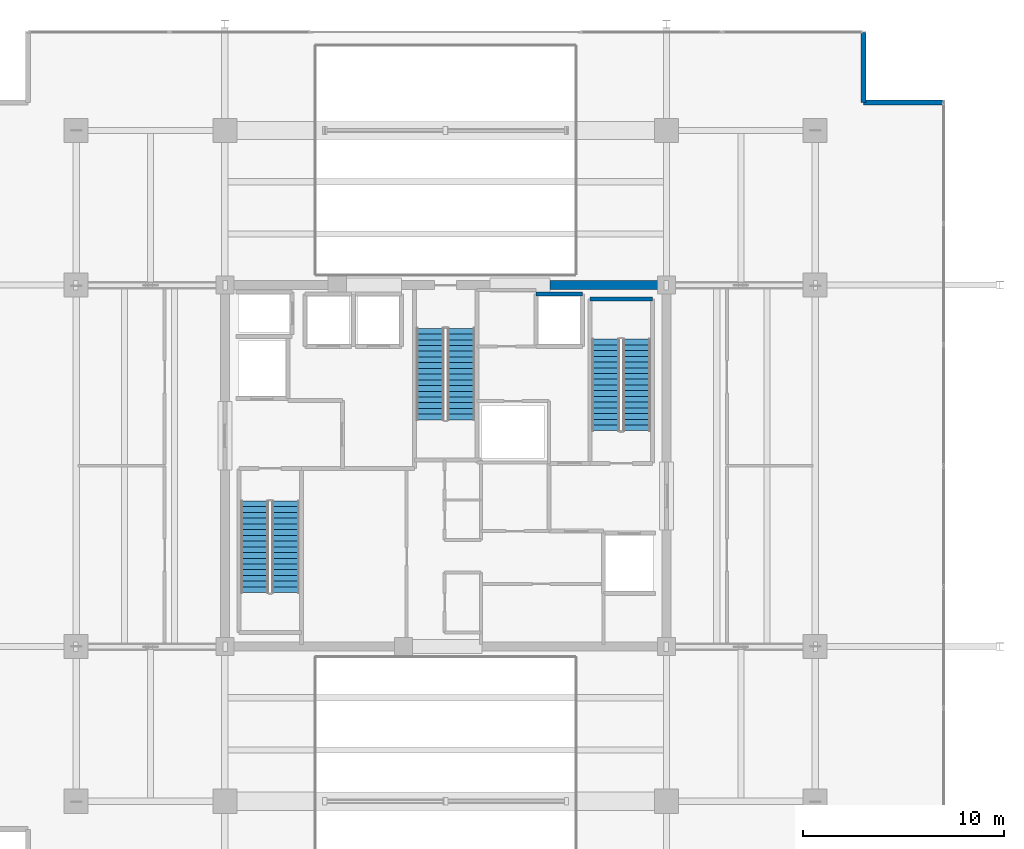
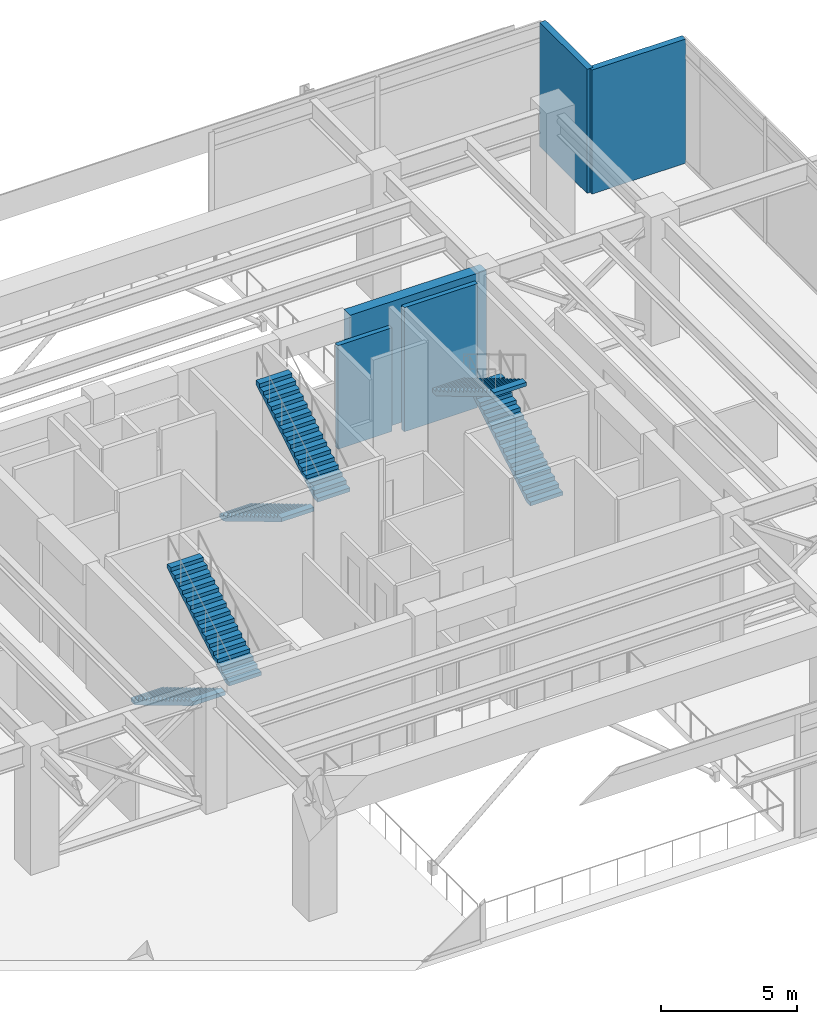
# One storey, part 24 of 26: 6 stair flights, 5 walls, 3 elements without a shape of their own.
"""IFC4 building model written with IfcOpenShell, lengths in metres."""

from ifc_helpers import new_model, si_unit, direction, frame, frame_2d, origin, place, context, subcontext, project, spatial, polyline, rectangle, outline, extrude, material, layer, layer_set, type_object, element, aggregate, save


model = new_model("IFC4")

# Units and contexts
model_context = context("Model", 3, precision=1e-05, world=origin(), true_north=direction((0.0, 1.0)))
body_context = subcontext(model_context, "Body", "Model", "MODEL_VIEW")
ifc_project = project(units=[si_unit("LENGTHUNIT", "METRE"), si_unit("AREAUNIT", "SQUARE_METRE"), si_unit("VOLUMEUNIT", "CUBIC_METRE"), si_unit("PLANEANGLEUNIT", "RADIAN"), si_unit("MASSUNIT", "GRAM", prefix="KILO")], contexts=[model_context])

# Site, building, storey
site_placement = place(None, origin())
site = spatial("IfcSite", under=ifc_project, at=site_placement, CompositionType="ELEMENT")
building_placement = place(site_placement, origin())
building = spatial("IfcBuilding", under=site, at=building_placement, Name="Kovane Verandah Tower", CompositionType="ELEMENT")
storey_placement = place(building_placement, frame((0.0, 0.0, 301.0)))
storey = spatial("IfcBuildingStorey", under=building, at=storey_placement, Name="L70", CompositionType="ELEMENT", Elevation=301.0)

# Walls
ifc_material_1 = material(Name="Concrete C60/75", Category="concrete")
ifc_layer_1 = layer(ifc_material_1, 0.449951171875)
ifc_layer_set_1 = layer_set([ifc_layer_1], Name="Concrete C60/75")
wall_type_1 = type_object("IfcWallType", Name="WL-CORE-450", PredefinedType="SHEAR", material=ifc_layer_set_1)
wall_1_placement = place(storey_placement, frame((45.199951171875, 36.5, 0.0), z_axis=(0.0, 0.0, 1.0), x_axis=(1.0, 0.0, 0.0)))
element("IfcWall", 1, at=wall_1_placement, inside=storey, type_object=wall_type_1, Name="L70 Core Shear Wall CN-3", PredefinedType="SHEAR", context=body_context, shape_type="SweptSolid", body=[
    extrude(rectangle(XDim=5.800048828125, YDim=0.449951171875, at=frame_2d((2.89990234375, 0.0))), origin(), (0.0, 0.0, 1.0), 5.5849609375),
])
ifc_material_2 = material(Name="Concrete C45/55 Lift Shaft Wall", Category="concrete")
ifc_layer_2 = layer(ifc_material_2, 0.199951171875)
ifc_layer_set_2 = layer_set([ifc_layer_2], Name="Concrete C45/55 Lift Shaft Wall")
wall_type_2 = type_object("IfcWallType", Name="WL-LIFT-200", PredefinedType="SOLIDWALL", material=ifc_layer_set_2)
wall_2_placement = place(storey_placement, frame((46.800048828125, 36.050048828125, 0.0), z_axis=(0.0, 0.0, 1.0), x_axis=(-1.0, 0.0, 0.0)))
element("IfcWall", 2, at=wall_2_placement, inside=storey, type_object=wall_type_2, Name="L70 Lift OL-01 N Shaft Wall", PredefinedType="SOLIDWALL", context=body_context, shape_type="SweptSolid", body=[
    extrude(rectangle(XDim=2.300048828125, YDim=0.199951171875, at=frame_2d((1.14990234375, 0.0))), origin(), (0.0, 0.0, 1.0), 4.6650390625),
])
ifc_material_3 = material(Name="Concrete C45/55", Category="concrete")
ifc_layer_3 = layer(ifc_material_3, 0.199951171875)
ifc_layer_set_3 = layer_set([ifc_layer_3], Name="Concrete C45/55")
wall_type_3 = type_object("IfcWallType", Name="WL-SHAFT-200", PredefinedType="SOLIDWALL", material=ifc_layer_set_3)
wall_3_placement = place(storey_placement, frame((47.179931640625, 35.800048828125, 0.0), z_axis=(0.0, 0.0, 1.0), x_axis=(1.0, 0.0, 0.0)))
element("IfcWall", 3, at=wall_3_placement, inside=storey, type_object=wall_type_3, Name="W-L70-ST02-N", PredefinedType="SOLIDWALL", context=body_context, shape_type="SweptSolid", body=[
    extrude(rectangle(XDim=3.1201171875, YDim=0.199951171875, at=frame_2d((1.56005859375, 0.0))), origin(), (0.0, 0.0, 1.0), 5.5849609375),
])
ifc_material_4 = material(Name="Concrete C45/55 Insulated Spandrel Wall", Category="concrete")
ifc_layer_4 = layer(ifc_material_4, 0.260009765625)
ifc_layer_set_4 = layer_set([ifc_layer_4], Name="Concrete C45/55 Insulated Spandrel Wall")
wall_type_4 = type_object("IfcWallType", Name="WL-SPANDREL-260", PredefinedType="PARAPET", material=ifc_layer_set_4)
wall_4_placement = place(storey_placement, frame((64.800048828125, 45.60009765625, 0.0), z_axis=(0.0, 0.0, 1.0), x_axis=(-1.0, 0.0, 0.0)))
element("IfcWall", 4, at=wall_4_placement, inside=storey, type_object=wall_type_4, Name="L70 NE Notch Cheek Wall 1", PredefinedType="PARAPET", context=body_context, shape_type="SweptSolid", body=[
    extrude(rectangle(XDim=4.0, YDim=0.260009765625, at=frame_2d((2.0, 0.0))), origin(), (0.0, 0.0, 1.0), 5.5849609375),
])
wall_5_placement = place(storey_placement, frame((60.800048828125, 45.60009765625, 0.0), z_axis=(0.0, 0.0, 1.0), x_axis=(0.0, 1.0, 0.0)))
element("IfcWall", 5, at=wall_5_placement, inside=storey, type_object=wall_type_4, Name="L70 NE Notch Cheek Wall 2", PredefinedType="PARAPET", context=body_context, shape_type="SweptSolid", body=[
    extrude(rectangle(XDim=3.5, YDim=0.260009765625, at=frame_2d((1.75, 0.0))), origin(), (0.0, 0.0, 1.0), 5.5849609375),
])

# Stair, stair flights
stair_type = type_object("IfcStairType", Name="ST-CORE-1380", PredefinedType="HALF_TURN_STAIR", material=ifc_material_3)
stair_1_placement = place(storey_placement, origin())
stair_1 = element("IfcStair", 6, at=stair_1_placement, inside=storey, type_object=stair_type, Name="L70 Exit Stair ST-01", PredefinedType="HALF_TURN_STAIR")
stair_flight_type = type_object("IfcStairFlightType", Name="STF-CORE-1380", PredefinedType="STRAIGHT", material=ifc_material_3)
stair_flight_1_placement = place(storey_placement, frame((30.489990234375, 25.75, 0.0), z_axis=(0.0, 0.0, 1.0), x_axis=(0.0, -1.0, 0.0)))
stair_flight_1 = element("IfcStairFlight", 7, at=stair_flight_1_placement, type_object=stair_flight_type, Name="ST-01 flight 1", NumberOfRisers=17, NumberOfTreads=16, PredefinedType="STRAIGHT", RiserHeight=0.170588235, TreadLength=0.285, context=body_context, shape_type="SweptSolid", body=[
    extrude(outline(polyline([(0.0, 0.0), (0.0, 0.170654296875), (0.284912109375, 0.170654296875), (0.284912109375, 0.341064453125), (0.570068359375, 0.341064453125), (0.570068359375, 0.51171875), (0.85498046875, 0.51171875), (0.85498046875, 0.682373046875), (1.139892578125, 0.682373046875), (1.139892578125, 0.85302734375), (1.425048828125, 0.85302734375), (1.425048828125, 1.0234375), (1.7099609375, 1.0234375), (1.7099609375, 1.194091796875), (1.9951171875, 1.194091796875), (1.9951171875, 1.36474609375), (2.280029296875, 1.36474609375), (2.280029296875, 1.535400390625), (2.56494140625, 1.535400390625), (2.56494140625, 1.705810546875), (2.85009765625, 1.705810546875), (2.85009765625, 1.87646484375), (3.135009765625, 1.87646484375), (3.135009765625, 2.047119140625), (3.419921875, 2.047119140625), (3.419921875, 2.217529296875), (3.705078125, 2.217529296875), (3.705078125, 2.38818359375), (3.989990234375, 2.38818359375), (3.989990234375, 2.558837890625), (4.27490234375, 2.558837890625), (4.27490234375, 2.7294921875), (4.56005859375, 2.7294921875), (4.56005859375, 2.89990234375), (4.56005859375, 2.5546875), (0.2919921875, 0.0), (0.0, 0.0)])), frame((0.0, 0.68994140625, 0.0), z_axis=(0.0, -1.0, 0.0), x_axis=(1.0, 0.0, 0.0)), (0.0, 0.0, 1.0), 1.3798828125),
])
stair_flight_2_placement = place(storey_placement, frame((32.030029296875, 21.18994140625, 2.89990234375), z_axis=(0.0, 0.0, 1.0), x_axis=(0.0, 1.0, 0.0)))
stair_flight_2 = element("IfcStairFlight", 8, at=stair_flight_2_placement, type_object=stair_flight_type, Name="ST-01 flight 2", NumberOfRisers=17, NumberOfTreads=16, PredefinedType="STRAIGHT", RiserHeight=0.170588235, TreadLength=0.285, context=body_context, shape_type="SweptSolid", body=[
    extrude(outline(polyline([(0.0, 0.0), (0.0, 0.170654296875), (0.284912109375, 0.170654296875), (0.284912109375, 0.341064453125), (0.570068359375, 0.341064453125), (0.570068359375, 0.51171875), (0.85498046875, 0.51171875), (0.85498046875, 0.682373046875), (1.139892578125, 0.682373046875), (1.139892578125, 0.85302734375), (1.425048828125, 0.85302734375), (1.425048828125, 1.0234375), (1.7099609375, 1.0234375), (1.7099609375, 1.194091796875), (1.9951171875, 1.194091796875), (1.9951171875, 1.36474609375), (2.280029296875, 1.36474609375), (2.280029296875, 1.535400390625), (2.56494140625, 1.535400390625), (2.56494140625, 1.705810546875), (2.85009765625, 1.705810546875), (2.85009765625, 1.87646484375), (3.135009765625, 1.87646484375), (3.135009765625, 2.047119140625), (3.419921875, 2.047119140625), (3.419921875, 2.217529296875), (3.705078125, 2.217529296875), (3.705078125, 2.38818359375), (3.989990234375, 2.38818359375), (3.989990234375, 2.558837890625), (4.27490234375, 2.558837890625), (4.27490234375, 2.7294921875), (4.56005859375, 2.7294921875), (4.56005859375, 2.89990234375), (4.56005859375, 2.5546875), (0.2919921875, 0.0), (0.0, 0.0)])), frame((0.0, 0.68994140625, 0.0), z_axis=(0.0, -1.0, 0.0), x_axis=(1.0, 0.0, 0.0)), (0.0, 0.0, 1.0), 1.3798828125),
])
aggregate(stair_1, [stair_flight_1, stair_flight_2])

stair_2_placement = place(storey_placement, origin())
stair_2 = element("IfcStair", 9, at=stair_2_placement, inside=storey, type_object=stair_type, Name="L70 Exit Stair ST-02", PredefinedType="HALF_TURN_STAIR")
stair_flight_3_placement = place(storey_placement, frame((49.510009765625, 29.25, 0.0), z_axis=(0.0, 0.0, 1.0), x_axis=(0.0, 1.0, 0.0)))
stair_flight_3 = element("IfcStairFlight", 10, at=stair_flight_3_placement, type_object=stair_flight_type, Name="ST-02 flight 1", NumberOfRisers=17, NumberOfTreads=16, PredefinedType="STRAIGHT", RiserHeight=0.170588235, TreadLength=0.285, context=body_context, shape_type="SweptSolid", body=[
    extrude(outline(polyline([(0.0, 0.0), (0.0, 0.170654296875), (0.284912109375, 0.170654296875), (0.284912109375, 0.341064453125), (0.570068359375, 0.341064453125), (0.570068359375, 0.51171875), (0.85498046875, 0.51171875), (0.85498046875, 0.682373046875), (1.139892578125, 0.682373046875), (1.139892578125, 0.85302734375), (1.425048828125, 0.85302734375), (1.425048828125, 1.0234375), (1.7099609375, 1.0234375), (1.7099609375, 1.194091796875), (1.9951171875, 1.194091796875), (1.9951171875, 1.36474609375), (2.280029296875, 1.36474609375), (2.280029296875, 1.535400390625), (2.56494140625, 1.535400390625), (2.56494140625, 1.705810546875), (2.85009765625, 1.705810546875), (2.85009765625, 1.87646484375), (3.135009765625, 1.87646484375), (3.135009765625, 2.047119140625), (3.419921875, 2.047119140625), (3.419921875, 2.217529296875), (3.705078125, 2.217529296875), (3.705078125, 2.38818359375), (3.989990234375, 2.38818359375), (3.989990234375, 2.558837890625), (4.27490234375, 2.558837890625), (4.27490234375, 2.7294921875), (4.56005859375, 2.7294921875), (4.56005859375, 2.89990234375), (4.56005859375, 2.5546875), (0.2919921875, 0.0), (0.0, 0.0)])), frame((0.0, 0.68994140625, 0.0), z_axis=(0.0, -1.0, 0.0), x_axis=(1.0, 0.0, 0.0)), (0.0, 0.0, 1.0), 1.3798828125),
])
stair_flight_4_placement = place(storey_placement, frame((47.969970703125, 33.81005859375, 2.89990234375), z_axis=(0.0, 0.0, 1.0), x_axis=(0.0, -1.0, 0.0)))
stair_flight_4 = element("IfcStairFlight", 11, at=stair_flight_4_placement, type_object=stair_flight_type, Name="ST-02 flight 2", NumberOfRisers=17, NumberOfTreads=16, PredefinedType="STRAIGHT", RiserHeight=0.170588235, TreadLength=0.285, context=body_context, shape_type="SweptSolid", body=[
    extrude(outline(polyline([(0.0, 0.0), (0.0, 0.170654296875), (0.284912109375, 0.170654296875), (0.284912109375, 0.341064453125), (0.570068359375, 0.341064453125), (0.570068359375, 0.51171875), (0.85498046875, 0.51171875), (0.85498046875, 0.682373046875), (1.139892578125, 0.682373046875), (1.139892578125, 0.85302734375), (1.425048828125, 0.85302734375), (1.425048828125, 1.0234375), (1.7099609375, 1.0234375), (1.7099609375, 1.194091796875), (1.9951171875, 1.194091796875), (1.9951171875, 1.36474609375), (2.280029296875, 1.36474609375), (2.280029296875, 1.535400390625), (2.56494140625, 1.535400390625), (2.56494140625, 1.705810546875), (2.85009765625, 1.705810546875), (2.85009765625, 1.87646484375), (3.135009765625, 1.87646484375), (3.135009765625, 2.047119140625), (3.419921875, 2.047119140625), (3.419921875, 2.217529296875), (3.705078125, 2.217529296875), (3.705078125, 2.38818359375), (3.989990234375, 2.38818359375), (3.989990234375, 2.558837890625), (4.27490234375, 2.558837890625), (4.27490234375, 2.7294921875), (4.56005859375, 2.7294921875), (4.56005859375, 2.89990234375), (4.56005859375, 2.5546875), (0.2919921875, 0.0), (0.0, 0.0)])), frame((0.0, 0.68994140625, 0.0), z_axis=(0.0, -1.0, 0.0), x_axis=(1.0, 0.0, 0.0)), (0.0, 0.0, 1.0), 1.3798828125),
])
aggregate(stair_2, [stair_flight_3, stair_flight_4])

stair_3_placement = place(storey_placement, origin())
stair_3 = element("IfcStair", 12, at=stair_3_placement, inside=storey, type_object=stair_type, Name="L70 Exit Stair ST-03", PredefinedType="HALF_TURN_STAIR")
stair_flight_5_placement = place(storey_placement, frame((39.22998046875, 34.35009765625, 0.0), z_axis=(0.0, 0.0, 1.0), x_axis=(0.0, -1.0, 0.0)))
stair_flight_5 = element("IfcStairFlight", 13, at=stair_flight_5_placement, type_object=stair_flight_type, Name="ST-03 flight 1", NumberOfRisers=17, NumberOfTreads=16, PredefinedType="STRAIGHT", RiserHeight=0.170588235, TreadLength=0.285, context=body_context, shape_type="SweptSolid", body=[
    extrude(outline(polyline([(0.0, 0.0), (0.0, 0.170654296875), (0.284912109375, 0.170654296875), (0.284912109375, 0.341064453125), (0.570068359375, 0.341064453125), (0.570068359375, 0.51171875), (0.85498046875, 0.51171875), (0.85498046875, 0.682373046875), (1.139892578125, 0.682373046875), (1.139892578125, 0.85302734375), (1.425048828125, 0.85302734375), (1.425048828125, 1.0234375), (1.7099609375, 1.0234375), (1.7099609375, 1.194091796875), (1.9951171875, 1.194091796875), (1.9951171875, 1.36474609375), (2.280029296875, 1.36474609375), (2.280029296875, 1.535400390625), (2.56494140625, 1.535400390625), (2.56494140625, 1.705810546875), (2.85009765625, 1.705810546875), (2.85009765625, 1.87646484375), (3.135009765625, 1.87646484375), (3.135009765625, 2.047119140625), (3.419921875, 2.047119140625), (3.419921875, 2.217529296875), (3.705078125, 2.217529296875), (3.705078125, 2.38818359375), (3.989990234375, 2.38818359375), (3.989990234375, 2.558837890625), (4.27490234375, 2.558837890625), (4.27490234375, 2.7294921875), (4.56005859375, 2.7294921875), (4.56005859375, 2.89990234375), (4.56005859375, 2.5546875), (0.2919921875, 0.0), (0.0, 0.0)])), frame((0.0, 0.68994140625, 0.0), z_axis=(0.0, -1.0, 0.0), x_axis=(1.0, 0.0, 0.0)), (0.0, 0.0, 1.0), 1.3798828125),
])
stair_flight_6_placement = place(storey_placement, frame((40.77001953125, 29.7900390625, 2.89990234375), z_axis=(0.0, 0.0, 1.0), x_axis=(0.0, 1.0, 0.0)))
stair_flight_6 = element("IfcStairFlight", 14, at=stair_flight_6_placement, type_object=stair_flight_type, Name="ST-03 flight 2", NumberOfRisers=17, NumberOfTreads=16, PredefinedType="STRAIGHT", RiserHeight=0.170588235, TreadLength=0.285, context=body_context, shape_type="SweptSolid", body=[
    extrude(outline(polyline([(0.0, 0.0), (0.0, 0.170654296875), (0.284912109375, 0.170654296875), (0.284912109375, 0.341064453125), (0.570068359375, 0.341064453125), (0.570068359375, 0.51171875), (0.85498046875, 0.51171875), (0.85498046875, 0.682373046875), (1.139892578125, 0.682373046875), (1.139892578125, 0.85302734375), (1.425048828125, 0.85302734375), (1.425048828125, 1.0234375), (1.7099609375, 1.0234375), (1.7099609375, 1.194091796875), (1.9951171875, 1.194091796875), (1.9951171875, 1.36474609375), (2.280029296875, 1.36474609375), (2.280029296875, 1.535400390625), (2.56494140625, 1.535400390625), (2.56494140625, 1.705810546875), (2.85009765625, 1.705810546875), (2.85009765625, 1.87646484375), (3.135009765625, 1.87646484375), (3.135009765625, 2.047119140625), (3.419921875, 2.047119140625), (3.419921875, 2.217529296875), (3.705078125, 2.217529296875), (3.705078125, 2.38818359375), (3.989990234375, 2.38818359375), (3.989990234375, 2.558837890625), (4.27490234375, 2.558837890625), (4.27490234375, 2.7294921875), (4.56005859375, 2.7294921875), (4.56005859375, 2.89990234375), (4.56005859375, 2.5546875), (0.2919921875, 0.0), (0.0, 0.0)])), frame((0.0, 0.68994140625, 0.0), z_axis=(0.0, -1.0, 0.0), x_axis=(1.0, 0.0, 0.0)), (0.0, 0.0, 1.0), 1.3798828125),
])
aggregate(stair_3, [stair_flight_5, stair_flight_6])

save(model, "model.ifc")
